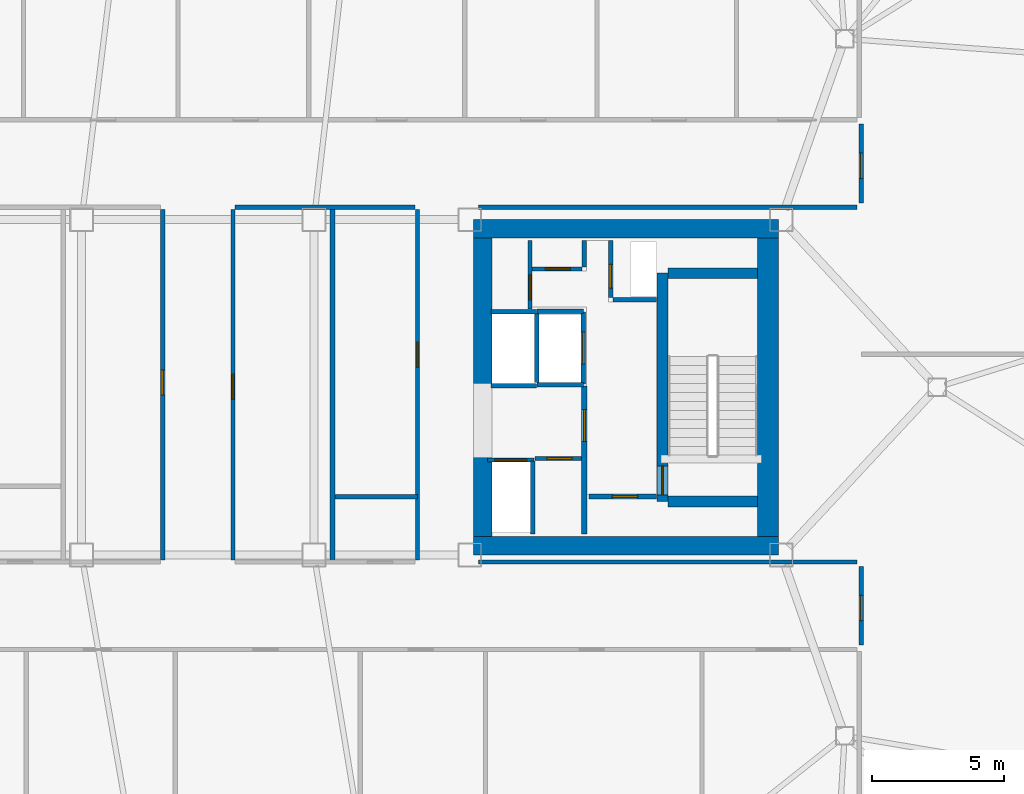
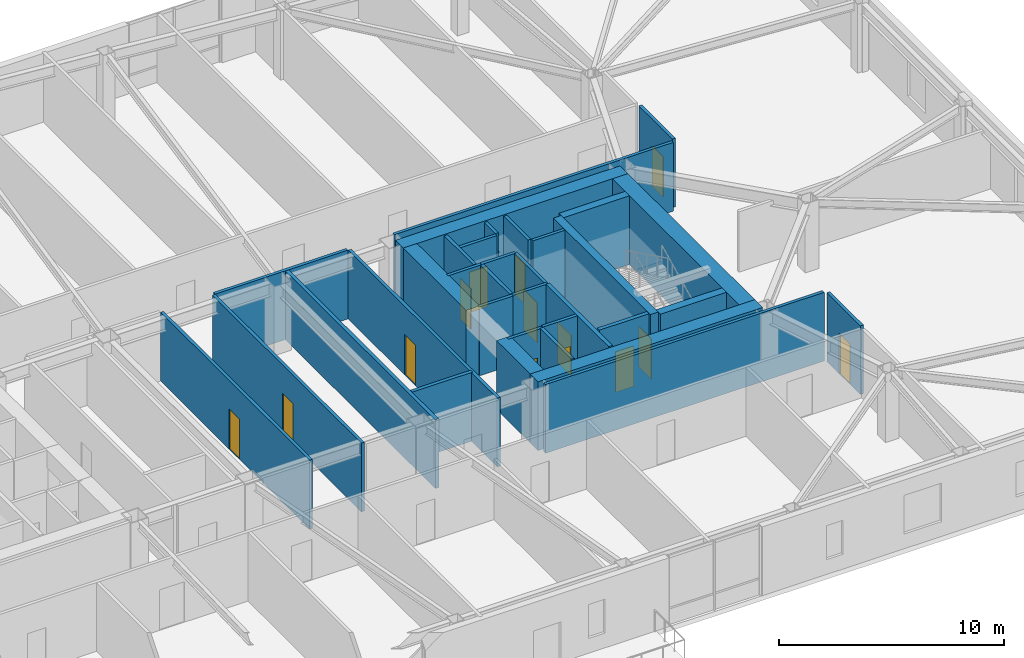
# One storey, part 12 of 19: 34 walls, 14 doors, 14 openings.
"""IFC4 building model written with IfcOpenShell, lengths in metres."""

from ifc_helpers import new_model, si_unit, direction, frame, frame_2d, origin, place, context, subcontext, project, spatial, rectangle, extrude, material, layer, layer_set, type_object, element, fill, save


model = new_model("IFC4")

# Units and contexts
model_context = context("Model", 3, precision=1e-05, world=origin(), true_north=direction((0.0, 1.0)))
body_context = subcontext(model_context, "Body", "Model", "MODEL_VIEW")
ifc_project = project(units=[si_unit("LENGTHUNIT", "METRE"), si_unit("AREAUNIT", "SQUARE_METRE"), si_unit("VOLUMEUNIT", "CUBIC_METRE"), si_unit("PLANEANGLEUNIT", "RADIAN"), si_unit("MASSUNIT", "GRAM", prefix="KILO")], contexts=[model_context])

# Site, building, storey
site_placement = place(None, origin())
site = spatial("IfcSite", under=ifc_project, at=site_placement, CompositionType="ELEMENT")
building_placement = place(site_placement, origin())
building = spatial("IfcBuilding", under=site, at=building_placement, Name="Tavrogorsk Clinical Tower", CompositionType="ELEMENT")
storey_placement = place(building_placement, frame((0.0, 0.0, 188.199951171875)))
storey = spatial("IfcBuildingStorey", under=building, at=storey_placement, Name="L43", CompositionType="ELEMENT", Elevation=188.199951171875)

# Wall, opening, door
ifc_material_1 = material(Name="Concrete B60", Category="concrete")
ifc_layer_1 = layer(ifc_material_1, 0.199951171875)
ifc_layer_set_1 = layer_set([ifc_layer_1], Name="Concrete B60")
wall_type_1 = type_object("IfcWallType", Name="CoreFireWall_200", PredefinedType="SOLIDWALL", material=ifc_layer_set_1)
wall_1_placement = place(storey_placement, frame((14.824951171875, -4.139892578125, 0.0), z_axis=(0.0, 0.0, 1.0), x_axis=(1.0, 0.0, 0.0)))
wall_1 = element("IfcWall", 1, at=wall_1_placement, inside=storey, type_object=wall_type_1, Name="L43 Core East South Core Room Fire Wall", PredefinedType="SOLIDWALL", context=body_context, shape_type="SweptSolid", body=[
    extrude(rectangle(XDim=2.554931640625, YDim=0.199951171875, at=frame_2d((1.27734375, 0.0))), origin(), (0.0, 0.0, 1.0), 3.739990234375),
])
opening_1_placement = place(wall_1_placement, frame((0.8798828125, 0.0, 0.0)))
opening_1 = element("IfcOpeningElement", 2, at=opening_1_placement, cuts=wall_1, Name="Opening ID-02", PredefinedType="OPENING", context=body_context, shape_type="SweptSolid", body=[
    extrude(rectangle(XDim=0.949951171875, YDim=2.199951171875, at=frame_2d((0.47509765625, 1.10009765625))), frame((0.0, 0.10986328125, 0.0), z_axis=(0.0, -1.0, 0.0), x_axis=(1.0, 0.0, 0.0)), (0.0, 0.0, 1.0), 0.219970703125),
])
ifc_material_2 = material(Name="Laminated timber leaf on aluminium frame", Category="wood")
door_type_1 = type_object("IfcDoorType", Name="InteriorDoor_ID02_950", OperationType="NOTDEFINED", PredefinedType="DOOR", material=ifc_material_2)
door_1_placement = place(opening_1_placement, origin())
door_1 = element("IfcDoor", 3, at=door_1_placement, inside=storey, type_object=door_type_1, Name="L43 Core East South Core Room Door", OperationType="SINGLE_SWING_RIGHT", OverallHeight=2.199951171875, OverallWidth=0.949951171875, PredefinedType="DOOR", context=body_context, shape_type="SweptSolid", body=[
    extrude(rectangle(XDim=0.949951171875, YDim=2.199951171875, at=frame_2d((0.47509765625, 1.10009765625))), frame((0.0, 0.02490234375, 0.0), z_axis=(0.0, -1.0, 0.0), x_axis=(1.0, 0.0, 0.0)), (0.0, 0.0, 1.0), 0.050048828125),
])
fill(opening_1, door_1)

wall_2_placement = place(storey_placement, frame((14.639892578125, -5.56005859375, 0.0), z_axis=(0.0, 0.0, 1.0), x_axis=(0.0, 1.0, 0.0)))
wall_2 = element("IfcWall", 4, at=wall_2_placement, inside=storey, type_object=wall_type_1, Name="L43 Core East Firefighting Lobby Fire Wall", PredefinedType="SOLIDWALL", context=body_context, shape_type="SweptSolid", body=[
    extrude(rectangle(XDim=5.60009765625, YDim=0.199951171875, at=frame_2d((2.800048828125, 0.0))), origin(), (0.0, 0.0, 1.0), 3.739990234375),
])
opening_2_placement = place(wall_2_placement, frame((3.510009765625, 0.0, 0.0)))
opening_2 = element("IfcOpeningElement", 5, at=opening_2_placement, cuts=wall_2, Name="Opening FD-01", PredefinedType="OPENING", context=body_context, shape_type="SweptSolid", body=[
    extrude(rectangle(XDim=1.199951171875, YDim=2.199951171875, at=frame_2d((0.60009765625, 1.10009765625))), frame((0.0, 0.10986328125, 0.0), z_axis=(0.0, -1.0, 0.0), x_axis=(1.0, 0.0, 0.0)), (0.0, 0.0, 1.0), 0.219970703125),
])
ifc_material_3 = material(Name="Galvanised steel fire-rated door assembly", Category="steel")
door_type_2 = type_object("IfcDoorType", Name="FireDoor_FD01_1200", OperationType="NOTDEFINED", PredefinedType="DOOR", material=ifc_material_3)
door_2_placement = place(opening_2_placement, origin())
door_2 = element("IfcDoor", 6, at=door_2_placement, inside=storey, type_object=door_type_2, Name="L43 Core East Firefighting Lobby Entry Door", OperationType="SINGLE_SWING_RIGHT", OverallHeight=2.199951171875, OverallWidth=1.199951171875, PredefinedType="DOOR", context=body_context, shape_type="SweptSolid", body=[
    extrude(rectangle(XDim=1.199951171875, YDim=2.199951171875, at=frame_2d((0.60009765625, 1.10009765625))), frame((0.0, 0.02490234375, 0.0), z_axis=(0.0, -1.0, 0.0), x_axis=(1.0, 0.0, 0.0)), (0.0, 0.0, 1.0), 0.050048828125),
])
fill(opening_2, door_2)

ifc_material_4 = material(Name="Lightweight concrete blockwork B15", Category="masonry")
ifc_layer_2 = layer(ifc_material_4, 0.159912109375)
ifc_layer_set_2 = layer_set([ifc_layer_2], Name="Lightweight concrete blockwork B15")
wall_type_2 = type_object("IfcWallType", Name="PartitionWall_160", PredefinedType="PARTITIONING", material=ifc_layer_set_2)
wall_3_placement = place(storey_placement, frame((12.77490234375, -2.699951171875, 0.0), z_axis=(0.0, 0.0, 1.0), x_axis=(1.0, 0.0, 0.0)))
wall_3 = element("IfcWall", 7, at=wall_3_placement, inside=storey, type_object=wall_type_2, Name="L43 Core East Freed Low-Bank North Partition", PredefinedType="PARTITIONING", context=body_context, shape_type="SweptSolid", body=[
    extrude(rectangle(XDim=1.760009765625, YDim=0.159912109375, at=frame_2d((0.8798828125, 0.0))), origin(), (0.0, 0.0, 1.0), 3.739990234375),
])
opening_3_placement = place(wall_3_placement, frame((0.449951171875, 0.0, 0.0)))
opening_3 = element("IfcOpeningElement", 8, at=opening_3_placement, cuts=wall_3, Name="Opening ID-02", PredefinedType="OPENING", context=body_context, shape_type="SweptSolid", body=[
    extrude(rectangle(XDim=0.949951171875, YDim=2.199951171875, at=frame_2d((0.47509765625, 1.10009765625))), frame((0.0, 0.08984375, 0.0), z_axis=(0.0, -1.0, 0.0), x_axis=(1.0, 0.0, 0.0)), (0.0, 0.0, 1.0), 0.179931640625),
])
door_3_placement = place(opening_3_placement, origin())
door_3 = element("IfcDoor", 9, at=door_3_placement, inside=storey, type_object=door_type_1, Name="L43 Core East Biomedical Alcove Door", OperationType="SINGLE_SWING_LEFT", OverallHeight=2.199951171875, OverallWidth=0.949951171875, PredefinedType="DOOR", context=body_context, shape_type="SweptSolid", body=[
    extrude(rectangle(XDim=0.949951171875, YDim=2.199951171875, at=frame_2d((0.47509765625, 1.10009765625))), frame((0.0, 0.02490234375, 0.0), z_axis=(0.0, -1.0, 0.0), x_axis=(1.0, 0.0, 0.0)), (0.0, 0.0, 1.0), 0.050048828125),
])
fill(opening_3, door_3)

wall_4_placement = place(storey_placement, frame((12.580078125, 2.9599609375, 0.0), z_axis=(0.0, 0.0, 1.0), x_axis=(0.0, 1.0, 0.0)))
wall_4 = element("IfcWall", 10, at=wall_4_placement, inside=storey, type_object=wall_type_2, Name="L43 Core East Linen Closet Wall", PredefinedType="PARTITIONING", context=body_context, shape_type="SweptSolid", body=[
    extrude(rectangle(XDim=2.60009765625, YDim=0.159912109375, at=frame_2d((1.300048828125, 0.0))), origin(), (0.0, 0.0, 1.0), 3.739990234375),
])
opening_4_placement = place(wall_4_placement, frame((0.35009765625, 0.0, 0.0)))
opening_4 = element("IfcOpeningElement", 11, at=opening_4_placement, cuts=wall_4, Name="Opening ID-02", PredefinedType="OPENING", context=body_context, shape_type="SweptSolid", body=[
    extrude(rectangle(XDim=0.949951171875, YDim=2.199951171875, at=frame_2d((0.47509765625, 1.10009765625))), frame((0.0, 0.08984375, 0.0), z_axis=(0.0, -1.0, 0.0), x_axis=(1.0, 0.0, 0.0)), (0.0, 0.0, 1.0), 0.179931640625),
])
door_4_placement = place(opening_4_placement, origin())
door_4 = element("IfcDoor", 12, at=door_4_placement, inside=storey, type_object=door_type_1, Name="L43 Core East Linen Closet Door", OperationType="SINGLE_SWING_RIGHT", OverallHeight=2.199951171875, OverallWidth=0.949951171875, PredefinedType="DOOR", context=body_context, shape_type="SweptSolid", body=[
    extrude(rectangle(XDim=0.949951171875, YDim=2.199951171875, at=frame_2d((0.47509765625, 1.10009765625))), frame((0.0, 0.02490234375, 0.0), z_axis=(0.0, -1.0, 0.0), x_axis=(1.0, 0.0, 0.0)), (0.0, 0.0, 1.0), 0.050048828125),
])
fill(opening_4, door_4)

wall_5_placement = place(storey_placement, frame((12.6650390625, 4.47998046875, 0.0), z_axis=(0.0, 0.0, 1.0), x_axis=(1.0, 0.0, 0.0)))
wall_5 = element("IfcWall", 13, at=wall_5_placement, inside=storey, type_object=wall_type_2, Name="L43 Core East Housekeeping South Wall", PredefinedType="PARTITIONING", context=body_context, shape_type="SweptSolid", body=[
    extrude(rectangle(XDim=1.889892578125, YDim=0.159912109375, at=frame_2d((0.94482421875, 0.0))), origin(), (0.0, 0.0, 1.0), 3.739990234375),
])
opening_5_placement = place(wall_5_placement, frame((0.5, 0.0, 0.0)))
opening_5 = element("IfcOpeningElement", 14, at=opening_5_placement, cuts=wall_5, Name="Opening ID-02", PredefinedType="OPENING", context=body_context, shape_type="SweptSolid", body=[
    extrude(rectangle(XDim=0.949951171875, YDim=2.199951171875, at=frame_2d((0.47509765625, 1.10009765625))), frame((0.0, 0.08984375, 0.0), z_axis=(0.0, -1.0, 0.0), x_axis=(1.0, 0.0, 0.0)), (0.0, 0.0, 1.0), 0.179931640625),
])
door_5_placement = place(opening_5_placement, origin())
door_5 = element("IfcDoor", 15, at=door_5_placement, inside=storey, type_object=door_type_1, Name="L43 Core East Housekeeping Closet Door", OperationType="SINGLE_SWING_LEFT", OverallHeight=2.199951171875, OverallWidth=0.949951171875, PredefinedType="DOOR", context=body_context, shape_type="SweptSolid", body=[
    extrude(rectangle(XDim=0.949951171875, YDim=2.199951171875, at=frame_2d((0.47509765625, 1.10009765625))), frame((0.0, 0.02490234375, 0.0), z_axis=(0.0, -1.0, 0.0), x_axis=(1.0, 0.0, 0.0)), (0.0, 0.0, 1.0), 0.050048828125),
])
fill(opening_5, door_5)

# Wall
wall_6_placement = place(storey_placement, frame((14.639892578125, 4.56494140625, 0.0), z_axis=(0.0, 0.0, 1.0), x_axis=(0.0, 1.0, 0.0)))
element("IfcWall", 16, at=wall_6_placement, inside=storey, type_object=wall_type_2, Name="L43 Core East Housekeeping East Wall", PredefinedType="PARTITIONING", context=body_context, shape_type="SweptSolid", body=[
    extrude(rectangle(XDim=0.9951171875, YDim=0.159912109375, at=frame_2d((0.49755859375, 0.0))), origin(), (0.0, 0.0, 1.0), 3.739990234375),
])

# Wall, opening, door
wall_7_placement = place(storey_placement, frame((25.1298828125, 9.965087890625, 0.0), z_axis=(0.0, 0.0, 1.0), x_axis=(0.0, -1.0, 0.0)))
wall_7 = element("IfcWall", 17, at=wall_7_placement, inside=storey, type_object=wall_type_2, Name="L43 Corridor Partition 06", PredefinedType="PARTITIONING", context=body_context, shape_type="SweptSolid", body=[
    extrude(rectangle(XDim=2.97998046875, YDim=0.159912109375, at=frame_2d((1.489990234375, 0.0))), origin(), (0.0, 0.0, 1.0), 3.739990234375),
])
opening_6_placement = place(wall_7_placement, frame((1.10009765625, 0.0, 0.0)))
opening_6 = element("IfcOpeningElement", 18, at=opening_6_placement, cuts=wall_7, Name="Opening ID-02", PredefinedType="OPENING", context=body_context, shape_type="SweptSolid", body=[
    extrude(rectangle(XDim=0.949951171875, YDim=2.199951171875, at=frame_2d((0.47509765625, 1.10009765625))), frame((0.0, 0.08984375, 0.0), z_axis=(0.0, -1.0, 0.0), x_axis=(1.0, 0.0, 0.0)), (0.0, 0.0, 1.0), 0.179931640625),
])
door_6_placement = place(opening_6_placement, origin())
door_6 = element("IfcDoor", 19, at=door_6_placement, inside=storey, type_object=door_type_1, Name="L43 E Multidisciplinary Seminar Suite 2 Door", OperationType="SINGLE_SWING_LEFT", OverallHeight=2.199951171875, OverallWidth=0.949951171875, PredefinedType="DOOR", context=body_context, shape_type="SweptSolid", body=[
    extrude(rectangle(XDim=0.949951171875, YDim=2.199951171875, at=frame_2d((0.47509765625, 1.10009765625))), frame((0.0, 0.02490234375, 0.0), z_axis=(0.0, -1.0, 0.0), x_axis=(1.0, 0.0, 0.0)), (0.0, 0.0, 1.0), 0.050048828125),
])
fill(opening_6, door_6)

# Walls
for number, where, z_axis, x_axis, name in (
    (20, (24.965087890625, 6.820068359375, 0.0), (0.0, 0.0, 1.0), (-1.0, 0.0, 0.0), "L43 Corridor Partition 07"),
    (21, (10.6298828125, -6.6201171875, 0.0), (0.0, 0.0, 1.0), (1.0, 0.0, 0.0), "L43 Corridor Partition 08"),
):
    element("IfcWall", number, at=place(storey_placement, frame(where, z_axis=z_axis, x_axis=x_axis)), inside=storey, type_object=wall_type_2, Name=name, PredefinedType="PARTITIONING", context=body_context, shape_type="SweptSolid", body=[
        extrude(rectangle(XDim=14.335205078125, YDim=0.159912109375, at=frame_2d((7.16748046875, 0.0))), origin(), (0.0, 0.0, 1.0), 3.739990234375),
    ])

# Wall, opening, door
wall_8_placement = place(storey_placement, frame((25.1298828125, -6.784912109375, 0.0), z_axis=(0.0, 0.0, 1.0), x_axis=(0.0, -1.0, 0.0)))
wall_8 = element("IfcWall", 22, at=wall_8_placement, inside=storey, type_object=wall_type_2, Name="L43 Corridor Partition 09", PredefinedType="PARTITIONING", context=body_context, shape_type="SweptSolid", body=[
    extrude(rectangle(XDim=2.97998046875, YDim=0.159912109375, at=frame_2d((1.489990234375, 0.0))), origin(), (0.0, 0.0, 1.0), 3.739990234375),
])
opening_7_placement = place(wall_8_placement, frame((1.10009765625, 0.0, 0.0)))
opening_7 = element("IfcOpeningElement", 23, at=opening_7_placement, cuts=wall_8, Name="Opening ID-02", PredefinedType="OPENING", context=body_context, shape_type="SweptSolid", body=[
    extrude(rectangle(XDim=0.949951171875, YDim=2.199951171875, at=frame_2d((0.47509765625, 1.10009765625))), frame((0.0, 0.08984375, 0.0), z_axis=(0.0, -1.0, 0.0), x_axis=(1.0, 0.0, 0.0)), (0.0, 0.0, 1.0), 0.179931640625),
])
door_7_placement = place(opening_7_placement, origin())
door_7 = element("IfcDoor", 24, at=door_7_placement, inside=storey, type_object=door_type_1, Name="L43 E Senior Clinician Suite 1 Door", OperationType="SINGLE_SWING_RIGHT", OverallHeight=2.199951171875, OverallWidth=0.949951171875, PredefinedType="DOOR", context=body_context, shape_type="SweptSolid", body=[
    extrude(rectangle(XDim=0.949951171875, YDim=2.199951171875, at=frame_2d((0.47509765625, 1.10009765625))), frame((0.0, 0.02490234375, 0.0), z_axis=(0.0, -1.0, 0.0), x_axis=(1.0, 0.0, 0.0)), (0.0, 0.0, 1.0), 0.050048828125),
])
fill(opening_7, door_7)

# Wall
wall_9_placement = place(storey_placement, frame((8.235107421875, 6.820068359375, 0.0), z_axis=(0.0, 0.0, 1.0), x_axis=(-1.0, 0.0, 0.0)))
element("IfcWall", 25, at=wall_9_placement, inside=storey, type_object=wall_type_2, Name="L43 Corridor Partition 11", PredefinedType="PARTITIONING", context=body_context, shape_type="SweptSolid", body=[
    extrude(rectangle(XDim=6.820068359375, YDim=0.159912109375, at=frame_2d((3.41015625, 0.0))), origin(), (0.0, 0.0, 1.0), 3.739990234375),
])

# Wall, opening, door
wall_10_placement = place(storey_placement, frame((1.330078125, 6.735107421875, 0.0), z_axis=(0.0, 0.0, 1.0), x_axis=(0.0, -1.0, 0.0)))
wall_10 = element("IfcWall", 26, at=wall_10_placement, inside=storey, type_object=wall_type_2, Name="L43 Corridor Partition 12", PredefinedType="PARTITIONING", context=body_context, shape_type="SweptSolid", body=[
    extrude(rectangle(XDim=13.27001953125, YDim=0.159912109375, at=frame_2d((6.635009765625, 0.0))), origin(), (0.0, 0.0, 1.0), 3.739990234375),
])
opening_8_placement = place(wall_10_placement, frame((6.2451171875, 0.0, 0.0)))
opening_8 = element("IfcOpeningElement", 27, at=opening_8_placement, cuts=wall_10, Name="Opening ID-02", PredefinedType="OPENING", context=body_context, shape_type="SweptSolid", body=[
    extrude(rectangle(XDim=0.949951171875, YDim=2.199951171875, at=frame_2d((0.47509765625, 1.10009765625))), frame((0.0, 0.08984375, 0.0), z_axis=(0.0, -1.0, 0.0), x_axis=(1.0, 0.0, 0.0)), (0.0, 0.0, 1.0), 0.179931640625),
])
door_8_placement = place(opening_8_placement, origin())
door_8 = element("IfcDoor", 28, at=door_8_placement, inside=storey, type_object=door_type_1, Name="L43 Clean Medication Preparation Room Door", OperationType="SINGLE_SWING_LEFT", OverallHeight=2.199951171875, OverallWidth=0.949951171875, PredefinedType="DOOR", context=body_context, shape_type="SweptSolid", body=[
    extrude(rectangle(XDim=0.949951171875, YDim=2.199951171875, at=frame_2d((0.47509765625, 1.10009765625))), frame((0.0, 0.02490234375, 0.0), z_axis=(0.0, -1.0, 0.0), x_axis=(1.0, 0.0, 0.0)), (0.0, 0.0, 1.0), 0.050048828125),
])
fill(opening_8, door_8)

wall_11_placement = place(storey_placement, frame((8.320068359375, -6.534912109375, 0.0), z_axis=(0.0, 0.0, 1.0), x_axis=(0.0, 1.0, 0.0)))
wall_11 = element("IfcWall", 29, at=wall_11_placement, inside=storey, type_object=wall_type_2, Name="L43 Corridor Partition 14", PredefinedType="PARTITIONING", context=body_context, shape_type="SweptSolid", body=[
    extrude(rectangle(XDim=13.27001953125, YDim=0.159912109375, at=frame_2d((6.635009765625, 0.0))), origin(), (0.0, 0.0, 1.0), 3.739990234375),
])
opening_9_placement = place(wall_11_placement, frame((7.285888671875, 0.0, 0.0)))
opening_9 = element("IfcOpeningElement", 30, at=opening_9_placement, cuts=wall_11, Name="Opening ID-02", PredefinedType="OPENING", context=body_context, shape_type="SweptSolid", body=[
    extrude(rectangle(XDim=0.949951171875, YDim=2.199951171875, at=frame_2d((0.47509765625, 1.10009765625))), frame((0.0, 0.08984375, 0.0), z_axis=(0.0, -1.0, 0.0), x_axis=(1.0, 0.0, 0.0)), (0.0, 0.0, 1.0), 0.179931640625),
])
door_9_placement = place(opening_9_placement, origin())
door_9 = element("IfcDoor", 31, at=door_9_placement, inside=storey, type_object=door_type_1, Name="L43 Resident Clinician Study Door", OperationType="SINGLE_SWING_LEFT", OverallHeight=2.199951171875, OverallWidth=0.949951171875, PredefinedType="DOOR", context=body_context, shape_type="SweptSolid", body=[
    extrude(rectangle(XDim=0.949951171875, YDim=2.199951171875, at=frame_2d((0.47509765625, 1.10009765625))), frame((0.0, 0.02490234375, 0.0), z_axis=(0.0, -1.0, 0.0), x_axis=(1.0, 0.0, 0.0)), (0.0, 0.0, 1.0), 0.050048828125),
])
fill(opening_9, door_9)

wall_12_placement = place(storey_placement, frame((-1.330078125, -6.534912109375, 0.0), z_axis=(0.0, 0.0, 1.0), x_axis=(0.0, 1.0, 0.0)))
wall_12 = element("IfcWall", 32, at=wall_12_placement, inside=storey, type_object=wall_type_2, Name="L43 Corridor Partition 15", PredefinedType="PARTITIONING", context=body_context, shape_type="SweptSolid", body=[
    extrude(rectangle(XDim=13.27001953125, YDim=0.159912109375, at=frame_2d((6.635009765625, 0.0))), origin(), (0.0, 0.0, 1.0), 3.739990234375),
])
opening_10_placement = place(wall_12_placement, frame((6.2451171875, 0.0, 0.0)))
opening_10 = element("IfcOpeningElement", 33, at=opening_10_placement, cuts=wall_12, Name="Opening ID-02", PredefinedType="OPENING", context=body_context, shape_type="SweptSolid", body=[
    extrude(rectangle(XDim=0.949951171875, YDim=2.199951171875, at=frame_2d((0.47509765625, 1.10009765625))), frame((0.0, 0.08984375, 0.0), z_axis=(0.0, -1.0, 0.0), x_axis=(1.0, 0.0, 0.0)), (0.0, 0.0, 1.0), 0.179931640625),
])
door_10_placement = place(opening_10_placement, origin())
door_10 = element("IfcDoor", 34, at=door_10_placement, inside=storey, type_object=door_type_1, Name="L43 Nurses' Station & Telemetry Hub Door", OperationType="SINGLE_SWING_RIGHT", OverallHeight=2.199951171875, OverallWidth=0.949951171875, PredefinedType="DOOR", context=body_context, shape_type="SweptSolid", body=[
    extrude(rectangle(XDim=0.949951171875, YDim=2.199951171875, at=frame_2d((0.47509765625, 1.10009765625))), frame((0.0, 0.02490234375, 0.0), z_axis=(0.0, -1.0, 0.0), x_axis=(1.0, 0.0, 0.0)), (0.0, 0.0, 1.0), 0.050048828125),
])
fill(opening_10, door_10)

# Walls
ifc_material_5 = material(Name="Lightweight concrete blockwork B20", Category="masonry")
ifc_layer_3 = layer(ifc_material_5, 0.179931640625)
ifc_layer_set_3 = layer_set([ifc_layer_3], Name="Lightweight concrete blockwork B20")
wall_type_3 = type_object("IfcWallType", Name="PartitionWall_180", PredefinedType="PARTITIONING", material=ifc_layer_set_3)
wall_13_placement = place(storey_placement, frame((5.10009765625, -6.614990234375, 0.0), z_axis=(0.0, 0.0, 1.0), x_axis=(0.0, 1.0, 0.0)))
element("IfcWall", 35, at=wall_13_placement, inside=storey, type_object=wall_type_3, Name="L43 Central Spine Partition 2", PredefinedType="PARTITIONING", context=body_context, shape_type="SweptSolid", body=[
    extrude(rectangle(XDim=13.429931640625, YDim=0.179931640625, at=frame_2d((6.71484375, 0.0))), origin(), (0.0, 0.0, 1.0), 3.739990234375),
])
wall_14_placement = place(storey_placement, frame((5.195068359375, -4.14990234375, 0.0), z_axis=(0.0, 0.0, 1.0), x_axis=(1.0, 0.0, 0.0)))
element("IfcWall", 36, at=wall_14_placement, inside=storey, type_object=wall_type_3, Name="L43 Central Spine Partition 4", PredefinedType="PARTITIONING", context=body_context, shape_type="SweptSolid", body=[
    extrude(rectangle(XDim=3.119873046875, YDim=0.179931640625, at=frame_2d((1.56005859375, 0.0))), origin(), (0.0, 0.0, 1.0), 3.739990234375),
])

# Wall, opening, door
ifc_material_6 = material(Name="Lightweight concrete blockwork B25", Category="masonry")
ifc_layer_4 = layer(ifc_material_6, 0.159912109375)
ifc_layer_set_4 = layer_set([ifc_layer_4], Name="Lightweight concrete blockwork B25")
wall_type_4 = type_object("IfcWallType", Name="ShaftWall_160", PredefinedType="PARTITIONING", material=ifc_layer_set_4)
wall_15_placement = place(storey_placement, frame((14.60009765625, 0.1201171875, 0.0), z_axis=(0.0, 0.0, 1.0), x_axis=(0.0, 1.0, 0.0)))
wall_15 = element("IfcWall", 37, at=wall_15_placement, inside=storey, type_object=wall_type_4, Name="L43 FFL-E Firefighting Lift Front Wall", PredefinedType="PARTITIONING", context=body_context, shape_type="SweptSolid", body=[
    extrude(rectangle(XDim=2.739990234375, YDim=0.159912109375, at=frame_2d((1.3701171875, 0.0))), origin(), (0.0, 0.0, 1.0), 3.739990234375),
])
opening_11_placement = place(wall_15_placement, frame((0.77001953125, 0.0, 0.0)))
opening_11 = element("IfcOpeningElement", 38, at=opening_11_placement, cuts=wall_15, Name="Opening LD", PredefinedType="OPENING", context=body_context, shape_type="SweptSolid", body=[
    extrude(rectangle(XDim=1.199951171875, YDim=2.199951171875, at=frame_2d((0.60009765625, 1.10009765625))), frame((0.0, 0.08984375, 0.0), z_axis=(0.0, -1.0, 0.0), x_axis=(1.0, 0.0, 0.0)), (0.0, 0.0, 1.0), 0.179931640625),
])
ifc_material_7 = material(Name="Brushed stainless steel AISI 304 sliding doors", Category="steel")
door_type_3 = type_object("IfcDoorType", Name="LiftLandingDoor_LD_1200", OperationType="SLIDING_TO_LEFT", PredefinedType="DOOR", material=ifc_material_7)
door_11_placement = place(opening_11_placement, origin())
door_11 = element("IfcDoor", 39, at=door_11_placement, inside=storey, type_object=door_type_3, Name="L43 FFL-E Sliding Lift Landing Door", OperationType="SLIDING_TO_LEFT", OverallHeight=2.199951171875, OverallWidth=1.199951171875, PredefinedType="DOOR", context=body_context, shape_type="SweptSolid", body=[
    extrude(rectangle(XDim=1.199951171875, YDim=2.199951171875, at=frame_2d((0.60009765625, 1.10009765625))), frame((0.0, 0.02490234375, 0.0), z_axis=(0.0, -1.0, 0.0), x_axis=(1.0, 0.0, 0.0)), (0.0, 0.0, 1.0), 0.050048828125),
])
fill(opening_11, door_11)

# Walls
for number, where, z_axis, x_axis, name in (
    (40, (12.840087890625, 0.10009765625, 0.0), (0.0, 0.0, 1.0), (1.0, 0.0, 0.0), "L43 FFL-E Shaft South Wall"),
    (41, (12.840087890625, 2.8798828125, 0.0), (0.0, 0.0, 1.0), (1.0, 0.0, 0.0), "L43 FFL-E Shaft North Wall"),
):
    element("IfcWall", number, at=place(storey_placement, frame(where, z_axis=z_axis, x_axis=x_axis)), inside=storey, type_object=wall_type_4, Name=name, PredefinedType="PARTITIONING", context=body_context, shape_type="SweptSolid", body=[
        extrude(rectangle(XDim=1.760009765625, YDim=0.159912109375, at=frame_2d((0.8798828125, 0.0))), origin(), (0.0, 0.0, 1.0), 3.739990234375),
    ])
wall_16_placement = place(storey_placement, frame((12.840087890625, 0.179931640625, 0.0), z_axis=(0.0, 0.0, 1.0), x_axis=(0.0, 1.0, 0.0)))
element("IfcWall", 42, at=wall_16_placement, inside=storey, type_object=wall_type_4, Name="L43 FFL-E Shaft Back Wall", PredefinedType="PARTITIONING", context=body_context, shape_type="SweptSolid", body=[
    extrude(rectangle(XDim=2.6201171875, YDim=0.159912109375, at=frame_2d((1.31005859375, 0.0))), origin(), (0.0, 0.0, 1.0), 3.739990234375),
])

# Wall, opening, door
wall_17_placement = place(storey_placement, frame((10.969970703125, -2.75, 0.0), z_axis=(0.0, 0.0, 1.0), x_axis=(1.0, 0.0, 0.0)))
wall_17 = element("IfcWall", 43, at=wall_17_placement, inside=storey, type_object=wall_type_4, Name="L43 LP-M2 Lift Shaft Portal Wall", PredefinedType="PARTITIONING", context=body_context, shape_type="SweptSolid", body=[
    extrude(rectangle(XDim=1.760009765625, YDim=0.159912109375, at=frame_2d((0.8798828125, 0.0))), origin(), (0.0, 0.0, 1.0), 3.739990234375),
])
opening_12_placement = place(wall_17_placement, frame((0.280029296875, 0.0, 0.0)))
opening_12 = element("IfcOpeningElement", 44, at=opening_12_placement, cuts=wall_17, Name="Opening LD", PredefinedType="OPENING", context=body_context, shape_type="SweptSolid", body=[
    extrude(rectangle(XDim=1.199951171875, YDim=2.199951171875, at=frame_2d((0.60009765625, 1.10009765625))), frame((0.0, 0.08984375, 0.0), z_axis=(0.0, -1.0, 0.0), x_axis=(1.0, 0.0, 0.0)), (0.0, 0.0, 1.0), 0.179931640625),
])
door_12_placement = place(opening_12_placement, origin())
door_12 = element("IfcDoor", 45, at=door_12_placement, inside=storey, type_object=door_type_3, Name="L43 LP-M2 Sliding Lift Landing Door", OperationType="SLIDING_TO_LEFT", OverallHeight=2.199951171875, OverallWidth=1.199951171875, PredefinedType="DOOR", context=body_context, shape_type="SweptSolid", body=[
    extrude(rectangle(XDim=1.199951171875, YDim=2.199951171875, at=frame_2d((0.60009765625, 1.10009765625))), frame((0.0, 0.02490234375, 0.0), z_axis=(0.0, -1.0, 0.0), x_axis=(1.0, 0.0, 0.0)), (0.0, 0.0, 1.0), 0.050048828125),
])
fill(opening_12, door_12)

# Walls
for number, where, z_axis, x_axis, name in (
    (46, (11.10009765625, 0.06005859375, 0.0), (0.0, 0.0, 1.0), (1.0, 0.0, 0.0), "L43 LP-H2 High-Zone Lift Portal Wall"),
    (47, (11.10009765625, 2.860107421875, 0.0), (0.0, 0.0, 1.0), (1.0, 0.0, 0.0), "L43 LP-H2 High-Zone Lift Rear Wall"),
):
    element("IfcWall", number, at=place(storey_placement, frame(where, z_axis=z_axis, x_axis=x_axis)), inside=storey, type_object=wall_type_4, Name=name, PredefinedType="PARTITIONING", context=body_context, shape_type="SweptSolid", body=[
        extrude(rectangle(XDim=1.719970703125, YDim=0.159912109375, at=frame_2d((0.85986328125, 0.0))), origin(), (0.0, 0.0, 1.0), 3.739990234375),
    ])

# Wall, opening, door
wall_18_placement = place(storey_placement, frame((15.639892578125, 3.405029296875, 0.0), z_axis=(0.0, 0.0, 1.0), x_axis=(0.0, 1.0, 0.0)))
wall_18 = element("IfcWall", 48, at=wall_18_placement, inside=storey, type_object=wall_type_4, Name="L43 Core East Riser West Wall", PredefinedType="PARTITIONING", context=body_context, shape_type="SweptSolid", body=[
    extrude(rectangle(XDim=2.155029296875, YDim=0.159912109375, at=frame_2d((1.07763671875, 0.0))), origin(), (0.0, 0.0, 1.0), 3.739990234375),
])
opening_13_placement = place(wall_18_placement, frame((0.35009765625, 0.0, 0.0)))
opening_13 = element("IfcOpeningElement", 49, at=opening_13_placement, cuts=wall_18, Name="Opening FD-02", PredefinedType="OPENING", context=body_context, shape_type="SweptSolid", body=[
    extrude(rectangle(XDim=0.89990234375, YDim=2.199951171875, at=frame_2d((0.449951171875, 1.10009765625))), frame((0.0, 0.08984375, 0.0), z_axis=(0.0, -1.0, 0.0), x_axis=(1.0, 0.0, 0.0)), (0.0, 0.0, 1.0), 0.179931640625),
])
ifc_material_8 = material(Name="Galvanised steel fire-rated door assembly", Category="steel")
door_type_4 = type_object("IfcDoorType", Name="FireDoor_FD02_900", OperationType="NOTDEFINED", PredefinedType="DOOR", material=ifc_material_8)
door_13_placement = place(opening_13_placement, origin())
door_13 = element("IfcDoor", 50, at=door_13_placement, inside=storey, type_object=door_type_4, Name="L43 Core East Electrical Riser Access Door", OperationType="SINGLE_SWING_LEFT", OverallHeight=2.199951171875, OverallWidth=0.89990234375, PredefinedType="DOOR", context=body_context, shape_type="SweptSolid", body=[
    extrude(rectangle(XDim=0.89990234375, YDim=2.199951171875, at=frame_2d((0.449951171875, 1.10009765625))), frame((0.0, 0.02490234375, 0.0), z_axis=(0.0, -1.0, 0.0), x_axis=(1.0, 0.0, 0.0)), (0.0, 0.0, 1.0), 0.050048828125),
])
fill(opening_13, door_13)

# Walls
wall_19_placement = place(storey_placement, frame((15.72509765625, 3.320068359375, 0.0), z_axis=(0.0, 0.0, 1.0), x_axis=(1.0, 0.0, 0.0)))
element("IfcWall", 51, at=wall_19_placement, inside=storey, type_object=wall_type_4, Name="L43 Core East Riser South Wall", PredefinedType="PARTITIONING", context=body_context, shape_type="SweptSolid", body=[
    extrude(rectangle(XDim=1.65478515625, YDim=0.159912109375, at=frame_2d((0.827392578125, 0.0))), origin(), (0.0, 0.0, 1.0), 3.739990234375),
])
wall_20_placement = place(storey_placement, frame((12.68994140625, -5.56005859375, 0.0), z_axis=(0.0, 0.0, 1.0), x_axis=(0.0, 1.0, 0.0)))
element("IfcWall", 52, at=wall_20_placement, inside=storey, type_object=wall_type_4, Name="L43 Core East Freed Low-Bank Shaft Divider", PredefinedType="PARTITIONING", context=body_context, shape_type="SweptSolid", body=[
    extrude(rectangle(XDim=2.775146484375, YDim=0.159912109375, at=frame_2d((1.3876953125, 0.0))), origin(), (0.0, 0.0, 1.0), 3.739990234375),
])

# Wall, opening, door
ifc_material_9 = material(Name="Concrete B80", Category="concrete")
ifc_layer_5 = layer(ifc_material_9, 0.39990234375)
ifc_layer_set_5 = layer_set([ifc_layer_5], Name="Concrete B80")
wall_type_5 = type_object("IfcWallType", Name="ShearWall_400", PredefinedType="SHEAR", material=ifc_layer_set_5)
wall_21_placement = place(storey_placement, frame((17.60009765625, -4.324951171875, 0.0), z_axis=(0.0, 0.0, 1.0), x_axis=(0.0, 1.0, 0.0)))
wall_21 = element("IfcWall", 53, at=wall_21_placement, inside=storey, type_object=wall_type_5, Name="L43 Core East Stair Shaft Inner Shear Wall", PredefinedType="SHEAR", context=body_context, shape_type="SweptSolid", body=[
    extrude(rectangle(XDim=8.64990234375, YDim=0.39990234375, at=frame_2d((4.324951171875, 0.0))), origin(), (0.0, 0.0, 1.0), 3.739990234375),
])
opening_14_placement = place(wall_21_placement, frame((0.25, 0.0, 0.0)))
opening_14 = element("IfcOpeningElement", 54, at=opening_14_placement, cuts=wall_21, Name="Opening SD-01", PredefinedType="OPENING", context=body_context, shape_type="SweptSolid", body=[
    extrude(rectangle(XDim=1.10009765625, YDim=2.199951171875, at=frame_2d((0.550048828125, 1.10009765625))), frame((0.0, 0.2099609375, 0.0), z_axis=(0.0, -1.0, 0.0), x_axis=(1.0, 0.0, 0.0)), (0.0, 0.0, 1.0), 0.419921875),
])
ifc_material_10 = material(Name="Galvanised steel smoke-tight fire door assembly", Category="steel")
door_type_5 = type_object("IfcDoorType", Name="StairFireDoor_SD01_1100", OperationType="NOTDEFINED", PredefinedType="DOOR", material=ifc_material_10)
door_14_placement = place(opening_14_placement, origin())
door_14 = element("IfcDoor", 55, at=door_14_placement, inside=storey, type_object=door_type_5, Name="L43 ST-E Exit Stair Door", OperationType="SINGLE_SWING_LEFT", OverallHeight=2.199951171875, OverallWidth=1.10009765625, PredefinedType="DOOR", context=body_context, shape_type="SweptSolid", body=[
    extrude(rectangle(XDim=1.10009765625, YDim=2.199951171875, at=frame_2d((0.550048828125, 1.10009765625))), frame((0.0, 0.02490234375, 0.0), z_axis=(0.0, -1.0, 0.0), x_axis=(1.0, 0.0, 0.0)), (0.0, 0.0, 1.0), 0.050048828125),
])
fill(opening_14, door_14)

# Walls
for number, where, z_axis, x_axis, name in (
    (56, (17.800048828125, -4.324951171875, 0.0), (0.0, 0.0, 1.0), (1.0, 0.0, 0.0), "L43 Core East Stair Shaft South Shear Wall"),
    (57, (17.800048828125, 4.324951171875, 0.0), (0.0, 0.0, 1.0), (1.0, 0.0, 0.0), "L43 Core East Stair Shaft North Shear Wall"),
):
    element("IfcWall", number, at=place(storey_placement, frame(where, z_axis=z_axis, x_axis=x_axis)), inside=storey, type_object=wall_type_5, Name=name, PredefinedType="SHEAR", context=body_context, shape_type="SweptSolid", body=[
        extrude(rectangle(XDim=3.39990234375, YDim=0.39990234375, at=frame_2d((1.699951171875, 0.0))), origin(), (0.0, 0.0, 1.0), 3.739990234375),
    ])
ifc_material_11 = material(Name="Concrete B80", Category="concrete")
ifc_layer_6 = layer(ifc_material_11, 0.699951171875)
ifc_layer_set_6 = layer_set([ifc_layer_6], Name="Concrete B80")
wall_type_6 = type_object("IfcWallType", Name="ShearWall_700", PredefinedType="SHEAR", material=ifc_layer_set_6)
for number, where, z_axis, x_axis, name in (
    (58, (10.449951171875, 6.0, 0.0), (0.0, 0.0, 1.0), (1.0, 0.0, 0.0), "L43 Core East North Shear Wall"),
    (59, (10.449951171875, -6.0, 0.0), (0.0, 0.0, 1.0), (1.0, 0.0, 0.0), "L43 Core East South Shear Wall"),
):
    element("IfcWall", number, at=place(storey_placement, frame(where, z_axis=z_axis, x_axis=x_axis)), inside=storey, type_object=wall_type_6, Name=name, PredefinedType="SHEAR", context=body_context, shape_type="SweptSolid", body=[
        extrude(rectangle(XDim=11.550048828125, YDim=0.699951171875, at=frame_2d((5.77490234375, 0.0))), origin(), (0.0, 0.0, 1.0), 3.739990234375),
    ])
wall_22_placement = place(storey_placement, frame((10.800048828125, -5.64990234375, 0.0), z_axis=(0.0, 0.0, 1.0), x_axis=(0.0, 1.0, 0.0)))
element("IfcWall", 60, at=wall_22_placement, inside=storey, type_object=wall_type_6, Name="L43 Core East Inner South Pier", PredefinedType="SHEAR", context=body_context, shape_type="SweptSolid", body=[
    extrude(rectangle(XDim=3.0, YDim=0.699951171875, at=frame_2d((1.5, 0.0))), origin(), (0.0, 0.0, 1.0), 3.739990234375),
])
wall_23_placement = place(storey_placement, frame((10.800048828125, 0.050048828125, 0.0), z_axis=(0.0, 0.0, 1.0), x_axis=(0.0, 1.0, 0.0)))
element("IfcWall", 61, at=wall_23_placement, inside=storey, type_object=wall_type_6, Name="L43 Core East Inner North Pier", PredefinedType="SHEAR", context=body_context, shape_type="SweptSolid", body=[
    extrude(rectangle(XDim=5.599853515625, YDim=0.699951171875, at=frame_2d((2.7998046875, 0.0))), origin(), (0.0, 0.0, 1.0), 3.739990234375),
])
ifc_material_12 = material(Name="Concrete B80", Category="concrete")
ifc_layer_7 = layer(ifc_material_12, 0.800048828125)
ifc_layer_set_7 = layer_set([ifc_layer_7], Name="Concrete B80")
wall_type_7 = type_object("IfcWallType", Name="ShearWall_800", PredefinedType="SHEAR", material=ifc_layer_set_7)
wall_24_placement = place(storey_placement, frame((21.60009765625, -5.64990234375, 0.0), z_axis=(0.0, 0.0, 1.0), x_axis=(0.0, 1.0, 0.0)))
element("IfcWall", 62, at=wall_24_placement, inside=storey, type_object=wall_type_7, Name="L43 Core East End Shear Wall", PredefinedType="SHEAR", context=body_context, shape_type="SweptSolid", body=[
    extrude(rectangle(XDim=11.2998046875, YDim=0.800048828125, at=frame_2d((5.64990234375, 0.0))), origin(), (0.0, 0.0, 1.0), 3.739990234375),
])

save(model, "model.ifc")
